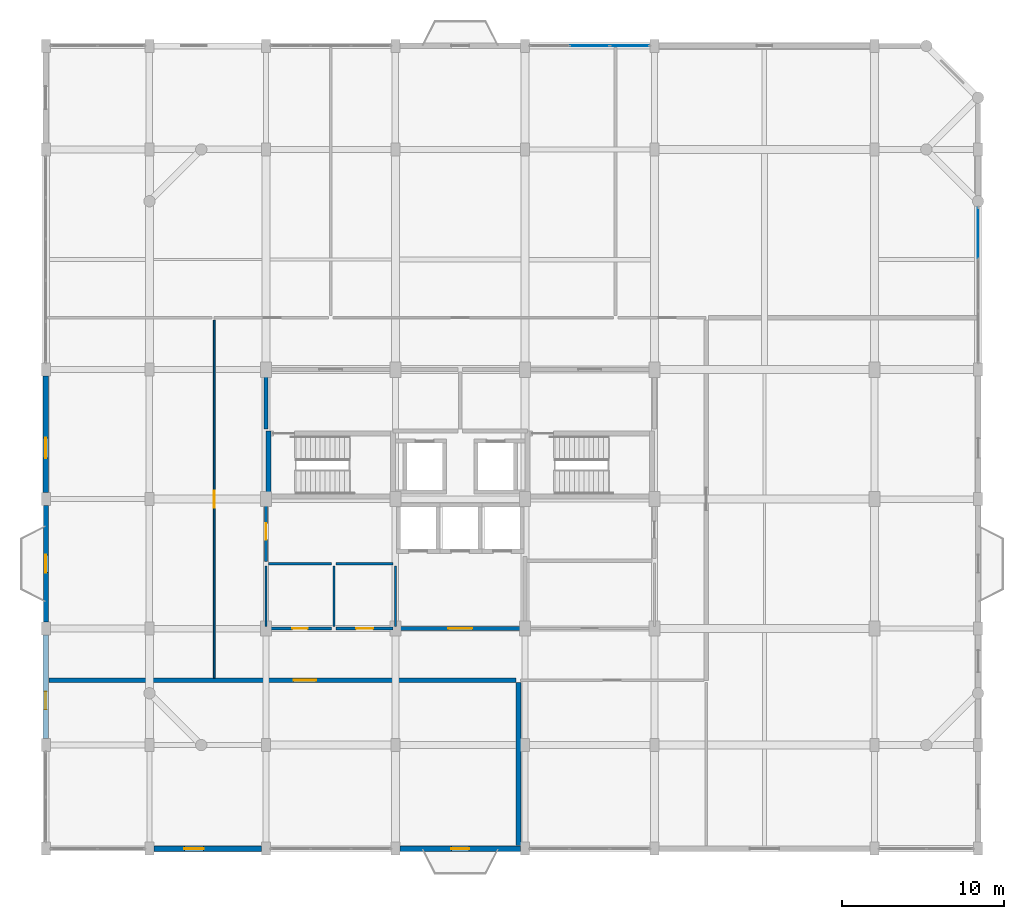
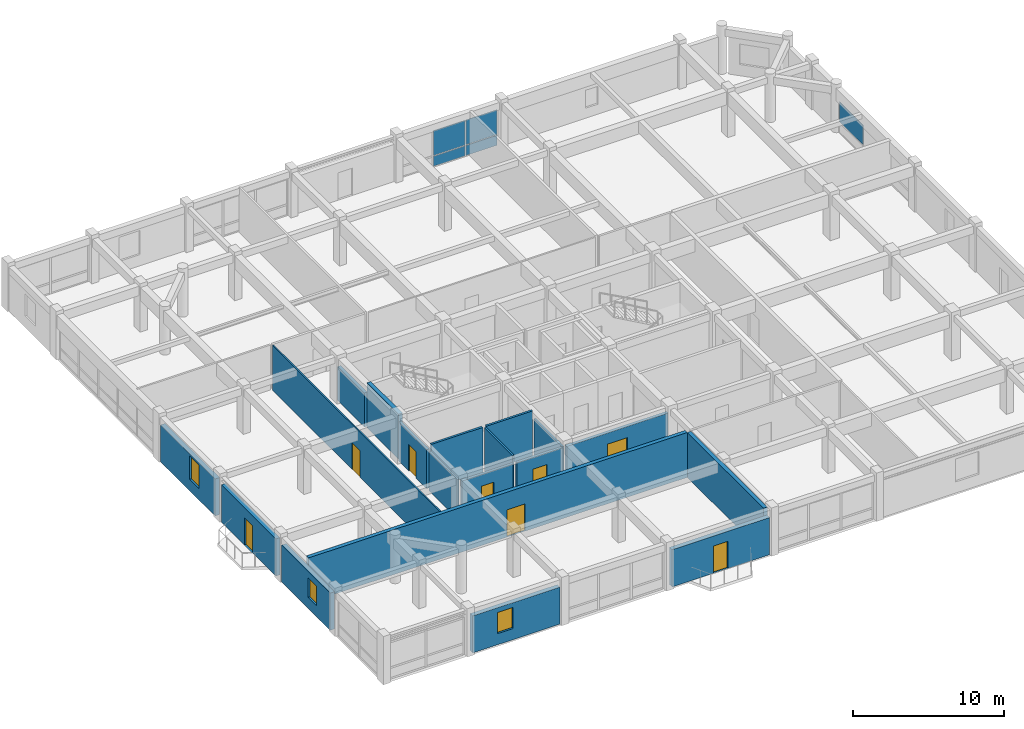
# One storey, part 11 of 15: 19 walls, 8 doors, 5 plates, 3 windows, 11 openings, 2 elements without a shape of their own.
"""IFC4 building model written with IfcOpenShell, lengths in metres."""

from ifc_helpers import new_model, si_unit, direction, frame, frame_2d, origin, origin_2d, place, context, subcontext, project, spatial, rectangle, extrude, material, layer, layer_set, type_object, element, fill, aggregate, save


model = new_model("IFC4")

# Units and contexts
model_context = context("Model", 3, precision=1e-05, world=origin(), true_north=direction((0.0, 1.0)))
body_context = subcontext(model_context, "Body", "Model", "MODEL_VIEW")
ifc_project = project(units=[si_unit("LENGTHUNIT", "METRE"), si_unit("AREAUNIT", "SQUARE_METRE"), si_unit("VOLUMEUNIT", "CUBIC_METRE"), si_unit("PLANEANGLEUNIT", "RADIAN"), si_unit("MASSUNIT", "GRAM", prefix="KILO")], contexts=[model_context])

# Site, building, storey
site_placement = place(None, origin())
site = spatial("IfcSite", under=ifc_project, at=site_placement, CompositionType="ELEMENT")
building_placement = place(site_placement, origin())
building = spatial("IfcBuilding", under=site, at=building_placement, Name="Vellmiral Cinema and Media Centre", CompositionType="ELEMENT")
storey_placement = place(building_placement, frame((0.0, 0.0, 35.60009765625)))
storey = spatial("IfcBuildingStorey", under=building, at=storey_placement, Name="L08", CompositionType="ELEMENT", Elevation=35.60009765625)

# Curtain wall, plate
ifc_material_1 = material(Name="Thermally Broken Aluminium and Triple Glazing", Category="aluminium")
curtain_wall_type = type_object("IfcCurtainWallType", Name="CW-TOWER-LOW-S", PredefinedType="USERDEFINED", material=ifc_material_1)
curtain_wall_1_placement = place(storey_placement, origin())
curtain_wall_1 = element("IfcCurtainWall", 1, at=curtain_wall_1_placement, inside=storey, type_object=curtain_wall_type, Name="Curtain Wall L08-B013", ObjectType="UNITISED CURTAIN WALL", PredefinedType="USERDEFINED")
ifc_material_2 = material(Name="Solar-Control Acoustic Triple Glazing", Category="glass")
ifc_layer_1 = layer(ifc_material_2, 0.0419921875, Name="Solar-Control Acoustic Triple Glazing")
ifc_layer_set_1 = layer_set([ifc_layer_1], Name="Solar-Control Acoustic Triple Glazing")
plate_type_1 = type_object("IfcPlateType", Name="CWP-SOLAR-42", PredefinedType="CURTAIN_PANEL", material=ifc_layer_set_1)
plate_1_placement = place(storey_placement, frame((168.0, 103.62548828125, 0.932373046875), z_axis=(0.0, 0.0, 1.0), x_axis=(0.0, 1.0, 0.0)))
plate_1 = element("IfcPlate", 2, at=plate_1_placement, type_object=plate_type_1, Name="CW-06 panel 3.2", PredefinedType="CURTAIN_PANEL", context=body_context, shape_type="SweptSolid", body=[
    extrude(rectangle(XDim=3.119140625, YDim=0.0419921875, at=origin_2d()), origin(), (0.0, 0.0, 1.0), 1.58740234375),
])
aggregate(curtain_wall_1, [plate_1])

# Curtain wall, plates
curtain_wall_2_placement = place(storey_placement, origin())
curtain_wall_2 = element("IfcCurtainWall", 3, at=curtain_wall_2_placement, inside=storey, type_object=curtain_wall_type, Name="Curtain Wall L08-B019", ObjectType="UNITISED CURTAIN WALL", PredefinedType="USERDEFINED")
plate_2_placement = place(storey_placement, frame((146.467041015625, 115.199951171875, 0.9326171875), z_axis=(0.0, 0.0, 1.0), x_axis=(-1.0, 0.0, 0.0)))
plate_2 = element("IfcPlate", 4, at=plate_2_placement, type_object=plate_type_1, Name="CW-06 panel 1.2", PredefinedType="CURTAIN_PANEL", context=body_context, shape_type="SweptSolid", body=[
    extrude(rectangle(XDim=2.3857421875, YDim=0.0419921875, at=origin_2d()), origin(), (0.0, 0.0, 1.0), 1.987548828125),
])
plate_3_placement = place(storey_placement, frame((144.0, 115.199951171875, 0.9326171875), z_axis=(0.0, 0.0, 1.0), x_axis=(-1.0, 0.0, 0.0)))
plate_3 = element("IfcPlate", 5, at=plate_3_placement, type_object=plate_type_1, Name="CW-06 panel 2.2", PredefinedType="CURTAIN_PANEL", context=body_context, shape_type="SweptSolid", body=[
    extrude(rectangle(XDim=2.418212890625, YDim=0.0419921875, at=origin_2d()), origin(), (0.0, 0.0, 1.0), 1.987548828125),
])
ifc_material_3 = material(Name="Polychrome Trencadis Ceramic Spandrel Panel", Category="ceramic")
ifc_layer_2 = layer(ifc_material_3, 0.052001953125, Name="Polychrome Trencadis Ceramic Spandrel Panel")
ifc_layer_set_2 = layer_set([ifc_layer_2], Name="Polychrome Trencadis Ceramic Spandrel Panel")
plate_type_2 = type_object("IfcPlateType", Name="CWP-TRENC-52", PredefinedType="CURTAIN_PANEL", material=ifc_layer_set_2)
plate_4_placement = place(storey_placement, frame((146.467041015625, 115.199951171875, 0.06494140625), z_axis=(0.0, 0.0, 1.0), x_axis=(-1.0, 0.0, 0.0)))
plate_4 = element("IfcPlate", 6, at=plate_4_placement, type_object=plate_type_2, Name="CW-06 panel 1.1", PredefinedType="CURTAIN_PANEL", context=body_context, shape_type="SweptSolid", body=[
    extrude(rectangle(XDim=2.3857421875, YDim=0.052001953125, at=origin_2d()), origin(), (0.0, 0.0, 1.0), 0.802490234375),
])
plate_5_placement = place(storey_placement, frame((144.0, 115.199951171875, 0.06494140625), z_axis=(0.0, 0.0, 1.0), x_axis=(-1.0, 0.0, 0.0)))
plate_5 = element("IfcPlate", 7, at=plate_5_placement, type_object=plate_type_2, Name="CW-06 panel 2.1", PredefinedType="CURTAIN_PANEL", context=body_context, shape_type="SweptSolid", body=[
    extrude(rectangle(XDim=2.418212890625, YDim=0.052001953125, at=origin_2d()), origin(), (0.0, 0.0, 1.0), 0.802490234375),
])
aggregate(curtain_wall_2, [plate_4, plate_2, plate_5, plate_3])

# Wall, opening, door
ifc_material_4 = material(Name="Calcium-Silicate Masonry Blockwork", Category="masonry")
ifc_layer_3 = layer(ifc_material_4, 0.10009765625, Name="Calcium-Silicate Masonry Blockwork", Category="masonry")
ifc_material_5 = material(Name="Mineral Wool Acoustic Insulation", Category="insulation")
ifc_layer_4 = layer(ifc_material_5, 0.090087890625, Name="Mineral Wool Acoustic Insulation", Category="insulation")
ifc_layer_5 = layer(ifc_material_4, 0.10009765625, Name="Calcium-Silicate Masonry Blockwork", Category="masonry")
ifc_layer_set_3 = layer_set([ifc_layer_3, ifc_layer_4, ifc_layer_5], Name="Calcium-Silicate Masonry Blockwork")
wall_type_1 = type_object("IfcWallType", Name="WL-AC-290", PredefinedType="SOLIDWALL", material=ifc_layer_set_3)
wall_1_placement = place(storey_placement, frame((110.5849609375, 76.0, 0.0), z_axis=(0.0, 0.0, 1.0), x_axis=(1.0, 0.0, 0.0)))
wall_1 = element("IfcWall", 8, at=wall_1_placement, inside=storey, type_object=wall_type_1, Name="Documentary Screening Room West Wall N", PredefinedType="SOLIDWALL", context=body_context, shape_type="SweptSolid", body=[
    extrude(rectangle(XDim=28.875, YDim=0.2900390625, at=frame_2d((14.4375, 0.0))), origin(), (0.0, 0.0, 1.0), 3.619873046875),
])
opening_1_placement = place(wall_1_placement, frame((15.114990234375, 0.0, 0.0)))
opening_1 = element("IfcOpeningElement", 9, at=opening_1_placement, cuts=wall_1, Name="Opening D-AC4", PredefinedType="OPENING", context=body_context, shape_type="SweptSolid", body=[
    extrude(rectangle(XDim=1.39990234375, YDim=2.199951171875, at=frame_2d((0.699951171875, 1.10009765625))), frame((0.0, 0.156982421875, 0.0), z_axis=(0.0, -1.0, 0.0), x_axis=(1.0, 0.0, 0.0)), (0.0, 0.0, 1.0), 0.31396484375),
])
ifc_material_6 = material(Name="Acoustic Studio Door", Category="steel")
door_type_1 = type_object("IfcDoorType", Name="DR-AC-1400x2200", OperationType="NOTDEFINED", PredefinedType="DOOR", material=ifc_material_6)
door_1_placement = place(opening_1_placement, origin())
door_1 = element("IfcDoor", 10, at=door_1_placement, inside=storey, type_object=door_type_1, Name="Documentary Screening Room West Door", OperationType="SINGLE_SWING_RIGHT", OverallHeight=2.199951171875, OverallWidth=1.39990234375, PredefinedType="DOOR", context=body_context, shape_type="SweptSolid", body=[
    extrude(rectangle(XDim=1.39990234375, YDim=2.199951171875, at=frame_2d((0.699951171875, 1.10009765625))), frame((0.0, 0.02490234375, 0.0), z_axis=(0.0, -1.0, 0.0), x_axis=(1.0, 0.0, 0.0)), (0.0, 0.0, 1.0), 0.050048828125),
])
fill(opening_1, door_1)

# Wall
wall_2_placement = place(storey_placement, frame((139.60009765625, 65.784912109375, 0.0), z_axis=(0.0, 0.0, 1.0), x_axis=(0.0, 1.0, 0.0)))
element("IfcWall", 11, at=wall_2_placement, inside=storey, type_object=wall_type_1, Name="Documentary Screening Room West Wall E", PredefinedType="SOLIDWALL", context=body_context, shape_type="SweptSolid", body=[
    extrude(rectangle(XDim=10.0751953125, YDim=0.2900390625, at=frame_2d((5.03759765625, 0.0))), origin(), (0.0, 0.0, 1.0), 3.619873046875),
])

# Wall, opening, door
ifc_material_7 = material(Name="Concrete C40/50", Category="concrete")
ifc_layer_6 = layer(ifc_material_7, 0.2099609375, Name="Concrete C40/50")
ifc_layer_set_4 = layer_set([ifc_layer_6], Name="Concrete C40/50")
wall_type_2 = type_object("IfcWallType", Name="WL-COMP-210", PredefinedType="SOLIDWALL", material=ifc_layer_set_4)
wall_3_placement = place(storey_placement, frame((124.0, 83.340087890625, 0.0), z_axis=(0.0, 0.0, 1.0), x_axis=(0.0, 1.0, 0.0)))
wall_3 = element("IfcWall", 12, at=wall_3_placement, inside=storey, type_object=wall_type_2, Name="Electrical and Telecom Riser Room Wall W", PredefinedType="SOLIDWALL", context=body_context, shape_type="SweptSolid", body=[
    extrude(rectangle(XDim=3.719970703125, YDim=0.2099609375, at=frame_2d((1.85986328125, 0.0))), origin(), (0.0, 0.0, 1.0), 3.14501953125),
])
opening_2_placement = place(wall_3_placement, frame((1.360107421875, 0.0, 0.0)))
opening_2 = element("IfcOpeningElement", 13, at=opening_2_placement, cuts=wall_3, Name="Opening D-FD30B", PredefinedType="OPENING", context=body_context, shape_type="SweptSolid", body=[
    extrude(rectangle(XDim=1.0, YDim=2.14990234375, at=frame_2d((0.5, 1.074951171875))), frame((0.0, 0.116943359375, 0.0), z_axis=(0.0, -1.0, 0.0), x_axis=(1.0, 0.0, 0.0)), (0.0, 0.0, 1.0), 0.23388671875),
])
ifc_material_8 = material(Name="Steel Riser Fire Door", Category="steel")
door_type_2 = type_object("IfcDoorType", Name="DR-FD30-1000x2150", OperationType="NOTDEFINED", PredefinedType="DOOR", material=ifc_material_8)
door_2_placement = place(opening_2_placement, frame((1.0, 0.0, 0.0), z_axis=(0.0, 0.0, 1.0), x_axis=(-1.0, 0.0, 0.0)))
door_2 = element("IfcDoor", 14, at=door_2_placement, inside=storey, type_object=door_type_2, Name="Electrical and Telecom Riser Room Door", OperationType="SINGLE_SWING_LEFT", OverallHeight=2.14990234375, OverallWidth=1.0, PredefinedType="DOOR", context=body_context, shape_type="SweptSolid", body=[
    extrude(rectangle(XDim=1.0, YDim=2.14990234375, at=frame_2d((0.5, 1.074951171875))), frame((0.0, 0.02490234375, 0.0), z_axis=(0.0, -1.0, 0.0), x_axis=(1.0, 0.0, 0.0)), (0.0, 0.0, 1.0), 0.050048828125),
])
fill(opening_2, door_2)

# Wall
ifc_material_9 = material(Name="Concrete C40/50", Category="concrete")
ifc_layer_7 = layer(ifc_material_9, 0.300048828125, Name="Concrete C40/50")
ifc_layer_set_5 = layer_set([ifc_layer_7], Name="Concrete C40/50")
wall_type_3 = type_object("IfcWallType", Name="WL-CORE-300", PredefinedType="SHEAR", material=ifc_layer_set_5)
wall_4_placement = place(storey_placement, frame((124.14990234375, 87.199951171875, 0.0), z_axis=(0.0, 0.0, 1.0), x_axis=(0.0, 1.0, 0.0)))
element("IfcWall", 15, at=wall_4_placement, inside=storey, type_object=wall_type_3, Name="Stair Core Wall ST-T1 L08-W", PredefinedType="SHEAR", context=body_context, shape_type="SweptSolid", body=[
    extrude(rectangle(XDim=4.199951171875, YDim=0.300048828125, at=frame_2d((2.10009765625, 0.0))), origin(), (0.0, 0.0, 1.0), 3.619873046875),
])

# Wall, opening, door
ifc_material_10 = material(Name="Polychrome Glazed Ceramic Cladding", Category="masonry")
ifc_layer_8 = layer(ifc_material_10, 0.320068359375, Name="Polychrome Glazed Ceramic Cladding")
ifc_layer_set_6 = layer_set([ifc_layer_8], Name="Polychrome Glazed Ceramic Cladding")
wall_type_4 = type_object("IfcWallType", Name="WL-EXT-BRICK-320", PredefinedType="SOLIDWALL", material=ifc_layer_set_6)
wall_5_placement = place(storey_placement, frame((110.39990234375, 86.800048828125, 0.0), z_axis=(0.0, 0.0, 1.0), x_axis=(0.0, -1.0, 0.0)))
wall_5 = element("IfcWall", 16, at=wall_5_placement, inside=storey, type_object=wall_type_4, Name="Exterior Facade Wall L08-027", PredefinedType="SOLIDWALL", context=body_context, shape_type="SweptSolid", body=[
    extrude(rectangle(XDim=7.199951171875, YDim=0.320068359375, at=frame_2d((3.60009765625, 0.0))), origin(), (0.0, 0.0, 1.0), 3.0),
])
opening_3_placement = place(wall_5_placement, frame((3.050048828125, 0.0, 0.0)))
opening_3 = element("IfcOpeningElement", 17, at=opening_3_placement, cuts=wall_5, Name="Opening DE-06", PredefinedType="OPENING", context=body_context, shape_type="SweptSolid", body=[
    extrude(rectangle(XDim=1.10009765625, YDim=2.199951171875, at=frame_2d((0.550048828125, 1.10009765625))), frame((0.0, 0.171875, 0.0), z_axis=(0.0, -1.0, 0.0), x_axis=(1.0, 0.0, 0.0)), (0.0, 0.0, 1.0), 0.343994140625),
])
ifc_material_11 = material(Name="Thermally Broken Glazed Aluminium and Bronze Door", Category="aluminium")
door_type_3 = type_object("IfcDoorType", Name="DR-MIRA-1100x2200", OperationType="NOTDEFINED", PredefinedType="DOOR", material=ifc_material_11)
door_3_placement = place(opening_3_placement, frame((1.10009765625, 0.0, 0.0), z_axis=(0.0, 0.0, 1.0), x_axis=(-1.0, 0.0, 0.0)))
door_3 = element("IfcDoor", 18, at=door_3_placement, inside=storey, type_object=door_type_3, Name="Mirador Balcony Door L08-W", OperationType="SINGLE_SWING_RIGHT", OverallHeight=2.199951171875, OverallWidth=1.10009765625, PredefinedType="DOOR", context=body_context, shape_type="SweptSolid", body=[
    extrude(rectangle(XDim=1.10009765625, YDim=2.199951171875, at=frame_2d((0.550048828125, 1.10009765625))), frame((0.0, 0.02490234375, 0.0), z_axis=(0.0, -1.0, 0.0), x_axis=(1.0, 0.0, 0.0)), (0.0, 0.0, 1.0), 0.050048828125),
])
fill(opening_3, door_3)

# Wall, opening, window
ifc_material_12 = material(Name="Vosges Red Sandstone Masonry", Category="masonry")
ifc_layer_9 = layer(ifc_material_12, 0.340087890625, Name="Vosges Red Sandstone Masonry")
ifc_layer_set_7 = layer_set([ifc_layer_9], Name="Vosges Red Sandstone Masonry")
wall_type_5 = type_object("IfcWallType", Name="WL-EXT-SAND-340", PredefinedType="SOLIDWALL", material=ifc_layer_set_7)
wall_6_placement = place(storey_placement, frame((117.074951171875, 65.60009765625, 0.0), z_axis=(0.0, 0.0, 1.0), x_axis=(1.0, 0.0, 0.0)))
wall_6 = element("IfcWall", 19, at=wall_6_placement, inside=storey, type_object=wall_type_5, Name="Exterior Facade Wall L08-002", PredefinedType="SOLIDWALL", context=body_context, shape_type="SweptSolid", body=[
    extrude(rectangle(XDim=6.650146484375, YDim=0.340087890625, at=frame_2d((3.3251953125, 0.0))), origin(), (0.0, 0.0, 1.0), 2.98486328125),
])
opening_4_placement = place(wall_6_placement, frame((1.875, 0.0, 0.89990234375)))
opening_4 = element("IfcOpeningElement", 20, at=opening_4_placement, cuts=wall_6, Name="Opening WN-10", PredefinedType="OPENING", context=body_context, shape_type="SweptSolid", body=[
    extrude(rectangle(XDim=1.199951171875, YDim=1.699951171875, at=frame_2d((0.60009765625, 0.85009765625))), frame((0.0, 0.18212890625, 0.0), z_axis=(0.0, -1.0, 0.0), x_axis=(1.0, 0.0, 0.0)), (0.0, 0.0, 1.0), 0.364013671875),
])
ifc_material_13 = material(Name="Thermally Broken Aluminium Triple Glazing", Category="aluminium")
window_type_1 = type_object("IfcWindowType", Name="WN-1200x1700", PartitioningType="SINGLE_PANEL", PredefinedType="WINDOW", material=ifc_material_13)
window_1_placement = place(opening_4_placement, origin())
window_1 = element("IfcWindow", 21, at=window_1_placement, inside=storey, type_object=window_type_1, Name="Window L08-002", OverallHeight=1.699951171875, OverallWidth=1.199951171875, PartitioningType="SINGLE_PANEL", PredefinedType="WINDOW", context=body_context, shape_type="SweptSolid", body=[
    extrude(rectangle(XDim=1.199951171875, YDim=1.699951171875, at=frame_2d((0.60009765625, 0.85009765625))), frame((0.0, 0.030029296875, 0.0), z_axis=(0.0, -1.0, 0.0), x_axis=(1.0, 0.0, 0.0)), (0.0, 0.0, 1.0), 0.06005859375),
])
fill(opening_4, window_1)

# Wall, opening, door
wall_7_placement = place(storey_placement, frame((132.27490234375, 65.60009765625, 0.0), z_axis=(0.0, 0.0, 1.0), x_axis=(1.0, 0.0, 0.0)))
wall_7 = element("IfcWall", 22, at=wall_7_placement, inside=storey, type_object=wall_type_5, Name="Exterior Facade Wall L08-004", PredefinedType="SOLIDWALL", context=body_context, shape_type="SweptSolid", body=[
    extrude(rectangle(XDim=7.4501953125, YDim=0.340087890625, at=frame_2d((3.72509765625, 0.0))), origin(), (0.0, 0.0, 1.0), 3.0),
])
opening_5_placement = place(wall_7_placement, frame((3.175048828125, 0.0, 0.0)))
opening_5 = element("IfcOpeningElement", 23, at=opening_5_placement, cuts=wall_7, Name="Opening DE-06", PredefinedType="OPENING", context=body_context, shape_type="SweptSolid", body=[
    extrude(rectangle(XDim=1.10009765625, YDim=2.199951171875, at=frame_2d((0.550048828125, 1.10009765625))), frame((0.0, 0.18212890625, 0.0), z_axis=(0.0, -1.0, 0.0), x_axis=(1.0, 0.0, 0.0)), (0.0, 0.0, 1.0), 0.364013671875),
])
door_4_placement = place(opening_5_placement, frame((1.10009765625, 0.0, 0.0), z_axis=(0.0, 0.0, 1.0), x_axis=(-1.0, 0.0, 0.0)))
door_4 = element("IfcDoor", 24, at=door_4_placement, inside=storey, type_object=door_type_3, Name="Mirador Balcony Door L08-S", OperationType="SINGLE_SWING_LEFT", OverallHeight=2.199951171875, OverallWidth=1.10009765625, PredefinedType="DOOR", context=body_context, shape_type="SweptSolid", body=[
    extrude(rectangle(XDim=1.10009765625, YDim=2.199951171875, at=frame_2d((0.550048828125, 1.10009765625))), frame((0.0, 0.02490234375, 0.0), z_axis=(0.0, -1.0, 0.0), x_axis=(1.0, 0.0, 0.0)), (0.0, 0.0, 1.0), 0.050048828125),
])
fill(opening_5, door_4)

# Wall, opening, window
wall_8_placement = place(storey_placement, frame((110.39990234375, 94.800048828125, 0.0), z_axis=(0.0, 0.0, 1.0), x_axis=(0.0, -1.0, 0.0)))
wall_8 = element("IfcWall", 25, at=wall_8_placement, inside=storey, type_object=wall_type_5, Name="Exterior Facade Wall L08-026", PredefinedType="SOLIDWALL", context=body_context, shape_type="SweptSolid", body=[
    extrude(rectangle(XDim=7.199951171875, YDim=0.340087890625, at=frame_2d((3.60009765625, 0.0))), origin(), (0.0, 0.0, 1.0), 2.98486328125),
])
opening_6_placement = place(wall_8_placement, frame((3.824951171875, 0.0, 0.89990234375)))
opening_6 = element("IfcOpeningElement", 26, at=opening_6_placement, cuts=wall_8, Name="Opening WN-09", PredefinedType="OPENING", context=body_context, shape_type="SweptSolid", body=[
    extrude(rectangle(XDim=1.25, YDim=1.89990234375, at=frame_2d((0.625, 0.949951171875))), frame((0.0, 0.18212890625, 0.0), z_axis=(0.0, -1.0, 0.0), x_axis=(1.0, 0.0, 0.0)), (0.0, 0.0, 1.0), 0.364013671875),
])
ifc_material_14 = material(Name="Thermally Broken Aluminium Triple Glazing", Category="aluminium")
window_type_2 = type_object("IfcWindowType", Name="WN-1250x1900", PartitioningType="SINGLE_PANEL", PredefinedType="WINDOW", material=ifc_material_14)
window_2_placement = place(opening_6_placement, origin())
window_2 = element("IfcWindow", 27, at=window_2_placement, inside=storey, type_object=window_type_2, Name="Window L08-026", OverallHeight=1.89990234375, OverallWidth=1.25, PartitioningType="SINGLE_PANEL", PredefinedType="WINDOW", context=body_context, shape_type="SweptSolid", body=[
    extrude(rectangle(XDim=1.25, YDim=1.89990234375, at=frame_2d((0.625, 0.949951171875))), frame((0.0, 0.030029296875, 0.0), z_axis=(0.0, -1.0, 0.0), x_axis=(1.0, 0.0, 0.0)), (0.0, 0.0, 1.0), 0.06005859375),
])
fill(opening_6, window_2)

wall_9_placement = place(storey_placement, frame((110.39990234375, 78.800048828125, 0.0), z_axis=(0.0, 0.0, 1.0), x_axis=(0.0, -1.0, 0.0)))
wall_9 = element("IfcWall", 28, at=wall_9_placement, inside=storey, type_object=wall_type_5, Name="Exterior Facade Wall L08-028", PredefinedType="SOLIDWALL", context=body_context, shape_type="SweptSolid", body=[
    extrude(rectangle(XDim=6.400146484375, YDim=0.340087890625, at=frame_2d((3.2001953125, 0.0))), origin(), (0.0, 0.0, 1.0), 3.0),
])
opening_7_placement = place(wall_9_placement, frame((3.5, 0.0, 0.89990234375)))
opening_7 = element("IfcOpeningElement", 29, at=opening_7_placement, cuts=wall_9, Name="Opening WN-11", PredefinedType="OPENING", context=body_context, shape_type="SweptSolid", body=[
    extrude(rectangle(XDim=1.10009765625, YDim=1.550048828125, at=frame_2d((0.550048828125, 0.77490234375))), frame((0.0, 0.18212890625, 0.0), z_axis=(0.0, -1.0, 0.0), x_axis=(1.0, 0.0, 0.0)), (0.0, 0.0, 1.0), 0.364013671875),
])
ifc_material_15 = material(Name="Thermally Broken Aluminium Triple Glazing", Category="aluminium")
window_type_3 = type_object("IfcWindowType", Name="WN-1100x1550", PartitioningType="SINGLE_PANEL", PredefinedType="WINDOW", material=ifc_material_15)
window_3_placement = place(opening_7_placement, origin())
window_3 = element("IfcWindow", 30, at=window_3_placement, inside=storey, type_object=window_type_3, Name="Window L08-028", OverallHeight=1.550048828125, OverallWidth=1.10009765625, PartitioningType="SINGLE_PANEL", PredefinedType="WINDOW", context=body_context, shape_type="SweptSolid", body=[
    extrude(rectangle(XDim=1.10009765625, YDim=1.550048828125, at=frame_2d((0.550048828125, 0.77490234375))), frame((0.0, 0.030029296875, 0.0), z_axis=(0.0, -1.0, 0.0), x_axis=(1.0, 0.0, 0.0)), (0.0, 0.0, 1.0), 0.06005859375),
])
fill(opening_7, window_3)

# Wall
ifc_material_16 = material(Name="Concrete C40/50", Category="concrete")
ifc_layer_10 = layer(ifc_material_16, 0.22998046875, Name="Concrete C40/50")
ifc_layer_set_8 = layer_set([ifc_layer_10], Name="Concrete C40/50")
wall_type_6 = type_object("IfcWallType", Name="WL-FFL-230", PredefinedType="SOLIDWALL", material=ifc_layer_set_8)
wall_10_placement = place(storey_placement, frame((124.0, 91.5400390625, 0.0), z_axis=(0.0, 0.0, 1.0), x_axis=(0.0, 1.0, 0.0)))
element("IfcWall", 31, at=wall_10_placement, inside=storey, type_object=wall_type_6, Name="Firefighting Lobby West Wall W", PredefinedType="SOLIDWALL", context=body_context, shape_type="SweptSolid", body=[
    extrude(rectangle(XDim=3.52001953125, YDim=0.22998046875, at=frame_2d((1.760009765625, 0.0))), origin(), (0.0, 0.0, 1.0), 2.744873046875),
])

# Wall, opening, door
wall_11_placement = place(storey_placement, frame((132.139892578125, 79.199951171875, 0.0), z_axis=(0.0, 0.0, 1.0), x_axis=(1.0, 0.0, 0.0)))
wall_11 = element("IfcWall", 32, at=wall_11_placement, inside=storey, type_object=wall_type_6, Name="Tower Passenger Lift Lobby Wall S", PredefinedType="SOLIDWALL", context=body_context, shape_type="SweptSolid", body=[
    extrude(rectangle(XDim=7.72021484375, YDim=0.22998046875, at=frame_2d((3.860107421875, 0.0))), origin(), (0.0, 0.0, 1.0), 3.094970703125),
])
opening_8_placement = place(wall_11_placement, frame((3.110107421875, 0.0, 0.0)))
opening_8 = element("IfcOpeningElement", 33, at=opening_8_placement, cuts=wall_11, Name="Opening D-FD30", PredefinedType="OPENING", context=body_context, shape_type="SweptSolid", body=[
    extrude(rectangle(XDim=1.5, YDim=2.199951171875, at=frame_2d((0.75, 1.10009765625))), frame((0.0, 0.126953125, 0.0), z_axis=(0.0, -1.0, 0.0), x_axis=(1.0, 0.0, 0.0)), (0.0, 0.0, 1.0), 0.25390625),
])
ifc_material_17 = material(Name="Timber-Core Fire Door", Category="wood")
door_type_4 = type_object("IfcDoorType", Name="DR-FD30-1500x2200", OperationType="DOUBLE_DOOR_SINGLE_SWING", PredefinedType="DOOR", material=ifc_material_17)
door_5_placement = place(opening_8_placement, frame((1.5, 0.0, 0.0), z_axis=(0.0, 0.0, 1.0), x_axis=(-1.0, 0.0, 0.0)))
door_5 = element("IfcDoor", 34, at=door_5_placement, inside=storey, type_object=door_type_4, Name="Tower Passenger Lift Lobby Door", OperationType="DOUBLE_DOOR_SINGLE_SWING", OverallHeight=2.199951171875, OverallWidth=1.5, PredefinedType="DOOR", context=body_context, shape_type="SweptSolid", body=[
    extrude(rectangle(XDim=1.5, YDim=2.199951171875, at=frame_2d((0.75, 1.10009765625))), frame((0.0, 0.02490234375, 0.0), z_axis=(0.0, -1.0, 0.0), x_axis=(1.0, 0.0, 0.0)), (0.0, 0.0, 1.0), 0.050048828125),
])
fill(opening_8, door_5)

ifc_material_18 = material(Name="Gypsum Plasterboard")
ifc_layer_11 = layer(ifc_material_18, 0.02490234375, Name="Gypsum Plasterboard", Category="gypsum")
ifc_material_19 = material(Name="Mineral Wool Acoustic Insulation", Category="insulation")
ifc_layer_12 = layer(ifc_material_19, 0.06005859375, Name="Mineral Wool Acoustic Insulation", Category="insulation")
ifc_layer_13 = layer(ifc_material_18, 0.02490234375, Name="Gypsum Plasterboard", Category="gypsum")
ifc_layer_set_9 = layer_set([ifc_layer_11, ifc_layer_12, ifc_layer_13], Name="Gypsum Plasterboard")
wall_type_7 = type_object("IfcWallType", Name="WL-PART-110", PredefinedType="PARTITIONING", material=ifc_layer_set_9)
wall_12_placement = place(storey_placement, frame((120.800048828125, 76.139892578125, 0.0), z_axis=(0.0, 0.0, 1.0), x_axis=(0.0, 1.0, 0.0)))
wall_12 = element("IfcWall", 35, at=wall_12_placement, inside=storey, type_object=wall_type_7, Name="West Media Editorial Lounge Wall E", PredefinedType="PARTITIONING", context=body_context, shape_type="SweptSolid", body=[
    extrude(rectangle(XDim=22.1201171875, YDim=0.110107421875, at=frame_2d((11.06005859375, 0.0))), origin(), (0.0, 0.0, 1.0), 3.619873046875),
])
opening_9_placement = place(wall_12_placement, frame((10.534912109375, 0.0, 0.0)))
opening_9 = element("IfcOpeningElement", 36, at=opening_9_placement, cuts=wall_12, Name="Opening D-I07", PredefinedType="OPENING", context=body_context, shape_type="SweptSolid", body=[
    extrude(rectangle(XDim=1.050048828125, YDim=2.14990234375, at=frame_2d((0.52490234375, 1.074951171875))), frame((0.0, 0.06689453125, 0.0), z_axis=(0.0, -1.0, 0.0), x_axis=(1.0, 0.0, 0.0)), (0.0, 0.0, 1.0), 0.134033203125),
])
ifc_material_20 = material(Name="Laminated Timber Door", Category="wood")
door_type_5 = type_object("IfcDoorType", Name="DR-INT-1050x2150", OperationType="NOTDEFINED", PredefinedType="DOOR", material=ifc_material_20)
door_6_placement = place(opening_9_placement, frame((1.050048828125, 0.0, 0.0), z_axis=(0.0, 0.0, 1.0), x_axis=(-1.0, 0.0, 0.0)))
door_6 = element("IfcDoor", 37, at=door_6_placement, inside=storey, type_object=door_type_5, Name="West Media Editorial Lounge Door", OperationType="SINGLE_SWING_RIGHT", OverallHeight=2.14990234375, OverallWidth=1.050048828125, PredefinedType="DOOR", context=body_context, shape_type="SweptSolid", body=[
    extrude(rectangle(XDim=1.050048828125, YDim=2.14990234375, at=frame_2d((0.52490234375, 1.074951171875))), frame((0.0, 0.02490234375, 0.0), z_axis=(0.0, -1.0, 0.0), x_axis=(1.0, 0.0, 0.0)), (0.0, 0.0, 1.0), 0.050048828125),
])
fill(opening_9, door_6)

# Walls
ifc_material_21 = material(Name="Gypsum Plasterboard")
ifc_layer_14 = layer(ifc_material_21, 0.02490234375, Name="Gypsum Plasterboard", Category="gypsum")
ifc_material_22 = material(Name="Mineral Wool Acoustic Insulation", Category="insulation")
ifc_layer_15 = layer(ifc_material_22, 0.080078125, Name="Mineral Wool Acoustic Insulation", Category="insulation")
ifc_layer_16 = layer(ifc_material_21, 0.02490234375, Name="Gypsum Plasterboard", Category="gypsum")
ifc_layer_set_10 = layer_set([ifc_layer_14, ifc_layer_15, ifc_layer_16], Name="Gypsum Plasterboard")
wall_type_8 = type_object("IfcWallType", Name="WL-PART-130", PredefinedType="PARTITIONING", material=ifc_layer_set_10)
wall_13_placement = place(storey_placement, frame((128.199951171875, 79.340087890625, 0.0), z_axis=(0.0, 0.0, 1.0), x_axis=(0.0, 1.0, 0.0)))
element("IfcWall", 38, at=wall_13_placement, inside=storey, type_object=wall_type_8, Name="Staff WC Wall E", PredefinedType="PARTITIONING", context=body_context, shape_type="SweptSolid", body=[
    extrude(rectangle(XDim=3.719970703125, YDim=0.1298828125, at=frame_2d((1.85986328125, 0.0))), origin(), (0.0, 0.0, 1.0), 3.619873046875),
])
ifc_material_23 = material(Name="Gypsum Plasterboard")
ifc_layer_17 = layer(ifc_material_23, 0.02490234375, Name="Gypsum Plasterboard", Category="gypsum")
ifc_material_24 = material(Name="Mineral Wool Acoustic Insulation", Category="insulation")
ifc_layer_18 = layer(ifc_material_24, 0.10009765625, Name="Mineral Wool Acoustic Insulation", Category="insulation")
ifc_layer_19 = layer(ifc_material_23, 0.02490234375, Name="Gypsum Plasterboard", Category="gypsum")
ifc_layer_set_11 = layer_set([ifc_layer_17, ifc_layer_18, ifc_layer_19], Name="Gypsum Plasterboard")
wall_type_9 = type_object("IfcWallType", Name="WL-PART-150", PredefinedType="PARTITIONING", material=ifc_layer_set_11)
wall_14_placement = place(storey_placement, frame((124.0, 79.340087890625, 0.0), z_axis=(0.0, 0.0, 1.0), x_axis=(0.0, 1.0, 0.0)))
element("IfcWall", 39, at=wall_14_placement, inside=storey, type_object=wall_type_9, Name="Staff WC Wall W", PredefinedType="PARTITIONING", context=body_context, shape_type="SweptSolid", body=[
    extrude(rectangle(XDim=3.719970703125, YDim=0.14990234375, at=frame_2d((1.85986328125, 0.0))), origin(), (0.0, 0.0, 1.0), 3.14501953125),
])
wall_15_placement = place(storey_placement, frame((132.0, 79.340087890625, 0.0), z_axis=(0.0, 0.0, 1.0), x_axis=(0.0, 1.0, 0.0)))
element("IfcWall", 40, at=wall_15_placement, inside=storey, type_object=wall_type_9, Name="Accessible WC Wall E", PredefinedType="PARTITIONING", context=body_context, shape_type="SweptSolid", body=[
    extrude(rectangle(XDim=3.719970703125, YDim=0.14990234375, at=frame_2d((1.85986328125, 0.0))), origin(), (0.0, 0.0, 1.0), 2.994873046875),
])
ifc_material_25 = material(Name="Gypsum Plasterboard")
ifc_layer_20 = layer(ifc_material_25, 0.02490234375, Name="Gypsum Plasterboard", Category="gypsum")
ifc_material_26 = material(Name="Mineral Wool Acoustic Insulation", Category="insulation")
ifc_layer_21 = layer(ifc_material_26, 0.1201171875, Name="Mineral Wool Acoustic Insulation", Category="insulation")
ifc_layer_22 = layer(ifc_material_25, 0.02490234375, Name="Gypsum Plasterboard", Category="gypsum")
ifc_layer_set_12 = layer_set([ifc_layer_20, ifc_layer_21, ifc_layer_22], Name="Gypsum Plasterboard")
wall_type_10 = type_object("IfcWallType", Name="WL-PART-170", PredefinedType="PARTITIONING", material=ifc_layer_set_12)
wall_16_placement = place(storey_placement, frame((124.139892578125, 83.199951171875, 0.0), z_axis=(0.0, 0.0, 1.0), x_axis=(1.0, 0.0, 0.0)))
element("IfcWall", 41, at=wall_16_placement, inside=storey, type_object=wall_type_10, Name="Staff WC Wall N", PredefinedType="PARTITIONING", context=body_context, shape_type="SweptSolid", body=[
    extrude(rectangle(XDim=3.920166015625, YDim=0.169921875, at=frame_2d((1.9599609375, 0.0))), origin(), (0.0, 0.0, 1.0), 3.619873046875),
])
wall_17_placement = place(storey_placement, frame((128.340087890625, 83.199951171875, 0.0), z_axis=(0.0, 0.0, 1.0), x_axis=(1.0, 0.0, 0.0)))
element("IfcWall", 42, at=wall_17_placement, inside=storey, type_object=wall_type_10, Name="Accessible WC Wall N", PredefinedType="PARTITIONING", context=body_context, shape_type="SweptSolid", body=[
    extrude(rectangle(XDim=3.52001953125, YDim=0.169921875, at=frame_2d((1.760009765625, 0.0))), origin(), (0.0, 0.0, 1.0), 3.619873046875),
])

# Wall, opening, door
ifc_material_27 = material(Name="Gypsum Plasterboard")
ifc_layer_23 = layer(ifc_material_27, 0.02490234375, Name="Gypsum Plasterboard", Category="gypsum")
ifc_material_28 = material(Name="Mineral Wool Acoustic Insulation", Category="insulation")
ifc_layer_24 = layer(ifc_material_28, 0.139892578125, Name="Mineral Wool Acoustic Insulation", Category="insulation")
ifc_layer_25 = layer(ifc_material_27, 0.02490234375, Name="Gypsum Plasterboard", Category="gypsum")
ifc_layer_set_13 = layer_set([ifc_layer_23, ifc_layer_24, ifc_layer_25], Name="Gypsum Plasterboard")
wall_type_11 = type_object("IfcWallType", Name="WL-PART-190", PredefinedType="PARTITIONING", material=ifc_layer_set_13)
wall_18_placement = place(storey_placement, frame((124.139892578125, 79.199951171875, 0.0), z_axis=(0.0, 0.0, 1.0), x_axis=(1.0, 0.0, 0.0)))
wall_18 = element("IfcWall", 43, at=wall_18_placement, inside=storey, type_object=wall_type_11, Name="Staff WC Wall S", PredefinedType="PARTITIONING", context=body_context, shape_type="SweptSolid", body=[
    extrude(rectangle(XDim=3.920166015625, YDim=0.18994140625, at=frame_2d((1.9599609375, 0.0))), origin(), (0.0, 0.0, 1.0), 3.094970703125),
])
opening_10_placement = place(wall_18_placement, frame((1.485107421875, 0.0, 0.0)))
opening_10 = element("IfcOpeningElement", 44, at=opening_10_placement, cuts=wall_18, Name="Opening D-I09", PredefinedType="OPENING", context=body_context, shape_type="SweptSolid", body=[
    extrude(rectangle(XDim=0.949951171875, YDim=2.14990234375, at=frame_2d((0.47509765625, 1.074951171875))), frame((0.0, 0.10693359375, 0.0), z_axis=(0.0, -1.0, 0.0), x_axis=(1.0, 0.0, 0.0)), (0.0, 0.0, 1.0), 0.2138671875),
])
ifc_material_29 = material(Name="Moisture-Resistant Timber Door", Category="wood")
door_type_6 = type_object("IfcDoorType", Name="DR-INT-950x2150", OperationType="NOTDEFINED", PredefinedType="DOOR", material=ifc_material_29)
door_7_placement = place(opening_10_placement, origin())
door_7 = element("IfcDoor", 45, at=door_7_placement, inside=storey, type_object=door_type_6, Name="Staff WC Door", OperationType="SINGLE_SWING_LEFT", OverallHeight=2.14990234375, OverallWidth=0.949951171875, PredefinedType="DOOR", context=body_context, shape_type="SweptSolid", body=[
    extrude(rectangle(XDim=0.949951171875, YDim=2.14990234375, at=frame_2d((0.47509765625, 1.074951171875))), frame((0.0, 0.02490234375, 0.0), z_axis=(0.0, -1.0, 0.0), x_axis=(1.0, 0.0, 0.0)), (0.0, 0.0, 1.0), 0.050048828125),
])
fill(opening_10, door_7)

wall_19_placement = place(storey_placement, frame((128.340087890625, 79.199951171875, 0.0), z_axis=(0.0, 0.0, 1.0), x_axis=(1.0, 0.0, 0.0)))
wall_19 = element("IfcWall", 46, at=wall_19_placement, inside=storey, type_object=wall_type_11, Name="Accessible WC Wall S", PredefinedType="PARTITIONING", context=body_context, shape_type="SweptSolid", body=[
    extrude(rectangle(XDim=3.52001953125, YDim=0.18994140625, at=frame_2d((1.760009765625, 0.0))), origin(), (0.0, 0.0, 1.0), 3.094970703125),
])
opening_11_placement = place(wall_19_placement, frame((1.235107421875, 0.0, 0.0)))
opening_11 = element("IfcOpeningElement", 47, at=opening_11_placement, cuts=wall_19, Name="Opening D-I10", PredefinedType="OPENING", context=body_context, shape_type="SweptSolid", body=[
    extrude(rectangle(XDim=1.050048828125, YDim=2.14990234375, at=frame_2d((0.52490234375, 1.074951171875))), frame((0.0, 0.10693359375, 0.0), z_axis=(0.0, -1.0, 0.0), x_axis=(1.0, 0.0, 0.0)), (0.0, 0.0, 1.0), 0.2138671875),
])
ifc_material_30 = material(Name="Barrier-Free Timber Door", Category="wood")
door_type_7 = type_object("IfcDoorType", Name="DR-ACC-1050x2150", OperationType="NOTDEFINED", PredefinedType="DOOR", material=ifc_material_30)
door_8_placement = place(opening_11_placement, origin())
door_8 = element("IfcDoor", 48, at=door_8_placement, inside=storey, type_object=door_type_7, Name="Accessible WC Door", OperationType="SINGLE_SWING_RIGHT", OverallHeight=2.14990234375, OverallWidth=1.050048828125, PredefinedType="DOOR", context=body_context, shape_type="SweptSolid", body=[
    extrude(rectangle(XDim=1.050048828125, YDim=2.14990234375, at=frame_2d((0.52490234375, 1.074951171875))), frame((0.0, 0.02490234375, 0.0), z_axis=(0.0, -1.0, 0.0), x_axis=(1.0, 0.0, 0.0)), (0.0, 0.0, 1.0), 0.050048828125),
])
fill(opening_11, door_8)

save(model, "model.ifc")
